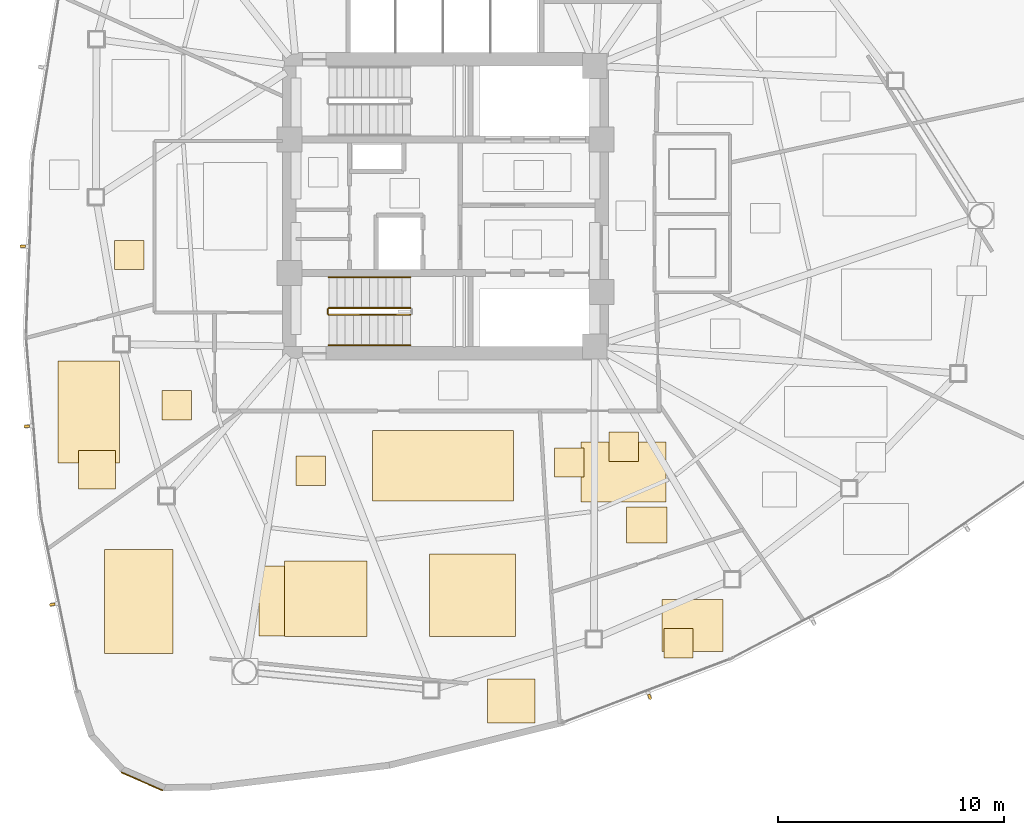
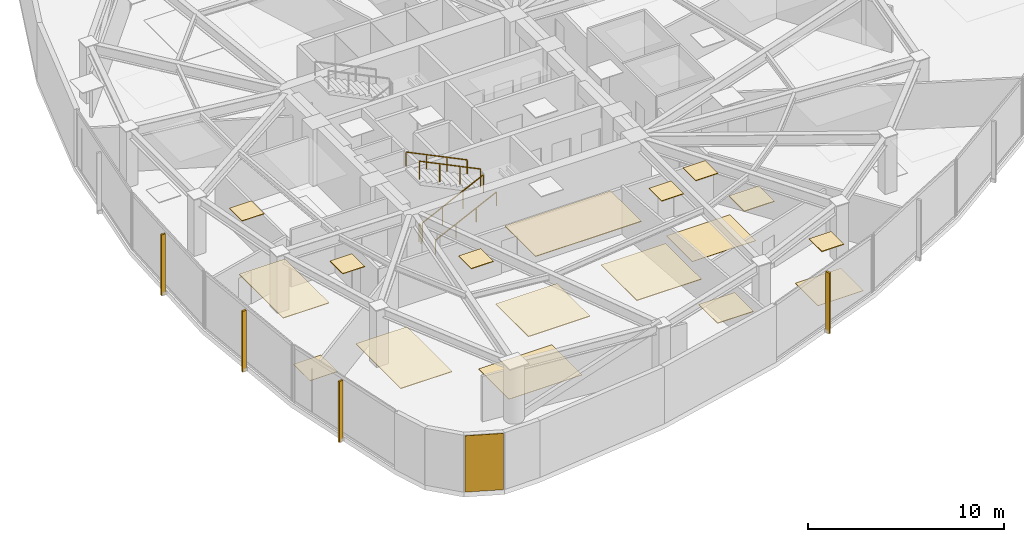
# One storey, part 14 of 17: 18 coverings, 5 railings, 4 shading devices.
"""IFC4 building model written with IfcOpenShell, lengths in metres."""

from ifc_helpers import new_model, si_unit, direction, frame, origin, origin_2d, place, context, subcontext, project, spatial, polyline, rectangle, outline, extrude, source, transform, mapped, material, layer, layer_set, type_object, type_shapes, element, save


model = new_model("IFC4")

# Units and contexts
model_context = context("Model", 3, precision=1e-05, world=origin(), true_north=direction((0.0, 1.0)))
body_context = subcontext(model_context, "Body", "Model", "MODEL_VIEW")
ifc_project = project(units=[si_unit("LENGTHUNIT", "METRE"), si_unit("AREAUNIT", "SQUARE_METRE"), si_unit("VOLUMEUNIT", "CUBIC_METRE"), si_unit("PLANEANGLEUNIT", "RADIAN"), si_unit("MASSUNIT", "GRAM", prefix="KILO")], contexts=[model_context])

# Site, building, storey
site_placement = place(None, origin())
site = spatial("IfcSite", under=ifc_project, at=site_placement, CompositionType="ELEMENT")
building_placement = place(site_placement, origin())
building = spatial("IfcBuilding", under=site, at=building_placement, Name="Tavelor Broadcast Tower", CompositionType="ELEMENT")
storey_placement = place(building_placement, frame((0.0, 0.0, 134.85009765625)))
storey = spatial("IfcBuildingStorey", under=building, at=storey_placement, Name="L31", CompositionType="ELEMENT", Elevation=134.85009765625)

# Covering
ifc_material_1 = material(Name="Copper-Bronze Anodized Aluminium", Category="aluminium")
ifc_layer_1 = layer(ifc_material_1, 0.050048828125)
ifc_layer_set_1 = layer_set([ifc_layer_1], Name="Copper-Bronze Anodized Aluminium")
covering_type_1 = type_object("IfcCoveringType", Name="Champagne-Bronze Corner Pier Metal Cladding 50 mm", PredefinedType="CLADDING", material=ifc_layer_set_1)
covering_1_placement = place(storey_placement, frame((36.588134765625, 19.575439453125, 0.02001953125), z_axis=(0.0, 0.0, 1.0), x_axis=(0.916711751032, -0.399549202878, 0.0)))
element("IfcCovering", 1, at=covering_1_placement, inside=storey, type_object=covering_type_1, Name="L31 Champagne-Bronze Corner Cladding 13", PredefinedType="CLADDING", context=body_context, shape_type="SweptSolid", body=[
    extrude(rectangle(XDim=1.989501953125, YDim=0.050048828125, at=origin_2d()), origin(), (0.0, 0.0, 1.0), 3.510009765625),
])

# Railings
ifc_material_2 = material(Name="Steel S355", Category="steel")
railing_type_1 = type_object("IfcRailingType", Name="Continuous Brushed Stainless Handrail 900 mm", PredefinedType="HANDRAIL", material=ifc_material_2)
railing_1_placement = place(storey_placement, frame((44.85009765625, 38.85009765625, 0.1748046875)))
element("IfcRailing", 2, at=railing_1_placement, inside=storey, type_object=railing_type_1, Name="L31 ST2 stair handrail 1", PredefinedType="HANDRAIL", context=body_context, shape_type="SweptSolid", body=[
    extrude(rectangle(XDim=0.048095703125, YDim=0.048095703125, at=origin_2d()), frame((0.0, 0.0, 0.8759765625), z_axis=(0.899360859046, 0.0, 0.437207096483), x_axis=(0.0, 1.0, 0.0)), (0.0, 0.0, 1.0), 4.002685546875),
    extrude(rectangle(XDim=0.0419921875, YDim=0.0419921875, at=origin_2d()), origin(), (0.0, 0.0, 1.0), 0.851806640625),
    extrude(rectangle(XDim=0.0419921875, YDim=0.0419921875, at=origin_2d()), frame((1.199951171875, 0.0, 0.583251953125)), (0.0, 0.0, 1.0), 0.851806640625),
    extrude(rectangle(XDim=0.0419921875, YDim=0.0419921875, at=origin_2d()), frame((2.39990234375, 0.0, 1.166748046875)), (0.0, 0.0, 1.0), 0.851806640625),
    extrude(rectangle(XDim=0.0419921875, YDim=0.0419921875, at=origin_2d()), frame((3.599853515625, 0.0, 1.75)), (0.0, 0.0, 1.0), 0.851806640625),
])
railing_2_placement = place(storey_placement, frame((48.449951171875, 41.85009765625, 2.099853515625)))
element("IfcRailing", 3, at=railing_2_placement, inside=storey, type_object=railing_type_1, Name="L31 ST2 stair handrail 2", PredefinedType="HANDRAIL", context=body_context, shape_type="SweptSolid", body=[
    extrude(rectangle(XDim=0.048095703125, YDim=0.048095703125, at=origin_2d()), frame((0.0, 0.0, 0.8759765625), z_axis=(-0.899360859046, 0.0, 0.437207096483), x_axis=(0.0, -1.0, 0.0)), (0.0, 0.0, 1.0), 4.002685546875),
    extrude(rectangle(XDim=0.0419921875, YDim=0.0419921875, at=origin_2d()), origin(), (0.0, 0.0, 1.0), 0.851806640625),
    extrude(rectangle(XDim=0.0419921875, YDim=0.0419921875, at=origin_2d()), frame((-1.199951171875, 0.0, 0.583251953125)), (0.0, 0.0, 1.0), 0.851806640625),
    extrude(rectangle(XDim=0.0419921875, YDim=0.0419921875, at=origin_2d()), frame((-2.39990234375, 0.0, 1.166748046875)), (0.0, 0.0, 1.0), 0.851806640625),
    extrude(rectangle(XDim=0.0419921875, YDim=0.0419921875, at=origin_2d()), frame((-3.599853515625, 0.0, 1.75)), (0.0, 0.0, 1.0), 0.851806640625),
])

# Coverings
ifc_material_3 = material(Name="Acoustic Nylon Carpet Tile")
ifc_layer_2 = layer(ifc_material_3, 0.02001953125)
ifc_layer_set_2 = layer_set([ifc_layer_2], Name="Acoustic Nylon Carpet Tile")
covering_type_2 = type_object("IfcCoveringType", Name="Heavy-Duty Acoustic Broadcast Carpet Tile 20 mm", PredefinedType="FLOORING", material=ifc_layer_set_2)
covering_2_placement = place(storey_placement, origin())
element("IfcCovering", 4, at=covering_2_placement, inside=storey, type_object=covering_type_2, Name="L31 Broadcast Floor Finish 0440", PredefinedType="FLOORING", context=body_context, shape_type="SweptSolid", body=[
    extrude(outline(polyline([(59.580078125, 25.313232421875), (62.260009765625, 25.313232421875), (62.260009765625, 27.62646484375), (59.580078125, 27.62646484375), (59.580078125, 25.313232421875)])), origin(), (0.0, 0.0, 1.0), 0.02001953125),
])
covering_3_placement = place(storey_placement, origin())
element("IfcCovering", 5, at=covering_3_placement, inside=storey, type_object=covering_type_2, Name="L31 Broadcast Floor Finish 0441", PredefinedType="FLOORING", context=body_context, shape_type="SweptSolid", body=[
    extrude(outline(polyline([(41.755859375, 25.99462890625), (46.07421875, 25.99462890625), (46.07421875, 29.103759765625), (41.755859375, 29.103759765625), (41.755859375, 25.99462890625)])), origin(), (0.0, 0.0, 1.0), 0.02001953125),
])
covering_4_placement = place(storey_placement, origin())
element("IfcCovering", 6, at=covering_4_placement, inside=storey, type_object=covering_type_2, Name="L31 Broadcast Floor Finish 0442", PredefinedType="FLOORING", context=body_context, shape_type="SweptSolid", body=[
    extrude(outline(polyline([(33.7841796875, 32.49853515625), (35.410400390625, 32.49853515625), (35.410400390625, 34.20263671875), (33.7841796875, 34.20263671875), (33.7841796875, 32.49853515625)])), origin(), (0.0, 0.0, 1.0), 0.02001953125),
])
covering_5_placement = place(storey_placement, origin())
element("IfcCovering", 7, at=covering_5_placement, inside=storey, type_object=covering_type_2, Name="L31 Broadcast Floor Finish 0447", PredefinedType="FLOORING", context=body_context, shape_type="SweptSolid", body=[
    extrude(outline(polyline([(55.985107421875, 31.91796875), (59.740478515625, 31.91796875), (59.740478515625, 34.577880859375), (55.985107421875, 34.577880859375), (55.985107421875, 31.91796875)])), origin(), (0.0, 0.0, 1.0), 0.02001953125),
])

# Railings
railing_type_2 = type_object("IfcRailingType", Name="Stairwell Steel Safety Guardrail 1150 mm", PredefinedType="GUARDRAIL", material=ifc_material_2)
railing_3_placement = place(storey_placement, frame((44.85009765625, 40.199951171875, 0.1748046875)))
element("IfcRailing", 8, at=railing_3_placement, inside=storey, type_object=railing_type_2, Name="L31 ST2 stair guard 1", PredefinedType="GUARDRAIL", context=body_context, shape_type="SweptSolid", body=[
    extrude(rectangle(XDim=0.048095703125, YDim=0.048095703125, at=origin_2d()), frame((0.0, 0.0, 1.1259765625), z_axis=(0.899360859046, 0.0, 0.437207096483), x_axis=(0.0, 1.0, 0.0)), (0.0, 0.0, 1.0), 4.002685546875),
    extrude(rectangle(XDim=0.0419921875, YDim=0.0419921875, at=origin_2d()), origin(), (0.0, 0.0, 1.0), 1.101806640625),
    extrude(rectangle(XDim=0.0419921875, YDim=0.0419921875, at=origin_2d()), frame((1.199951171875, 0.0, 0.583251953125)), (0.0, 0.0, 1.0), 1.101806640625),
    extrude(rectangle(XDim=0.0419921875, YDim=0.0419921875, at=origin_2d()), frame((2.39990234375, 0.0, 1.166748046875)), (0.0, 0.0, 1.0), 1.101806640625),
    extrude(rectangle(XDim=0.0419921875, YDim=0.0419921875, at=origin_2d()), frame((3.599853515625, 0.0, 1.75)), (0.0, 0.0, 1.0), 1.101806640625),
])
railing_4_placement = place(storey_placement, frame((48.449951171875, 40.5, 2.099853515625)))
element("IfcRailing", 9, at=railing_4_placement, inside=storey, type_object=railing_type_2, Name="L31 ST2 stair guard 3", PredefinedType="GUARDRAIL", context=body_context, shape_type="SweptSolid", body=[
    extrude(rectangle(XDim=0.048095703125, YDim=0.048095703125, at=origin_2d()), frame((0.0, 0.0, 1.1259765625), z_axis=(-0.899360859046, 0.0, 0.437207096483), x_axis=(0.0, -1.0, 0.0)), (0.0, 0.0, 1.0), 4.002685546875),
    extrude(rectangle(XDim=0.0419921875, YDim=0.0419921875, at=origin_2d()), origin(), (0.0, 0.0, 1.0), 1.101806640625),
    extrude(rectangle(XDim=0.0419921875, YDim=0.0419921875, at=origin_2d()), frame((-1.199951171875, 0.0, 0.583251953125)), (0.0, 0.0, 1.0), 1.101806640625),
    extrude(rectangle(XDim=0.0419921875, YDim=0.0419921875, at=origin_2d()), frame((-2.39990234375, 0.0, 1.166748046875)), (0.0, 0.0, 1.0), 1.101806640625),
    extrude(rectangle(XDim=0.0419921875, YDim=0.0419921875, at=origin_2d()), frame((-3.599853515625, 0.0, 1.75)), (0.0, 0.0, 1.0), 1.101806640625),
])
railing_5_placement = place(storey_placement, frame((44.800048828125, 40.25, 0.0)))
element("IfcRailing", 10, at=railing_5_placement, inside=storey, type_object=railing_type_2, Name="L31 ST2 stair guard 4", PredefinedType="GUARDRAIL", context=body_context, shape_type="SweptSolid", body=[
    extrude(rectangle(XDim=0.048095703125, YDim=0.048095703125, at=origin_2d()), frame((0.0, 0.0, 1.1259765625), z_axis=(0.0, 1.0, 0.0), x_axis=(-1.0, 0.0, 0.0)), (0.0, 0.0, 1.0), 0.199951171875),
    extrude(rectangle(XDim=0.0419921875, YDim=0.0419921875, at=origin_2d()), origin(), (0.0, 0.0, 1.0), 1.101806640625),
    extrude(rectangle(XDim=0.0419921875, YDim=0.0419921875, at=origin_2d()), frame((0.0, 0.199951171875, 0.0)), (0.0, 0.0, 1.0), 1.101806640625),
])

# Coverings
ifc_material_4 = material(Name="Acoustic Mineral Fibre Tile")
ifc_layer_3 = layer(ifc_material_4, 0.0400390625)
ifc_layer_set_3 = layer_set([ifc_layer_3], Name="Acoustic Mineral Fibre Tile")
covering_type_3 = type_object("IfcCoveringType", Name="Suspended Acoustic Mineral-Fibre Office Ceiling 40 mm", PredefinedType="CEILING", material=ifc_layer_set_3)
covering_6_placement = place(storey_placement, frame((0.0, 0.0, 3.510009765625)))
element("IfcCovering", 11, at=covering_6_placement, inside=storey, type_object=covering_type_3, Name="L31 Suspended Acoustic Ceiling 1249", PredefinedType="CEILING", context=body_context, shape_type="SweptSolid", body=[
    extrude(outline(polyline([(59.65087890625, 25.038330078125), (60.950927734375, 25.038330078125), (60.950927734375, 26.33837890625), (59.65087890625, 26.33837890625), (59.65087890625, 25.038330078125)])), origin(), (0.0, 0.0, 1.0), 0.039794921875),
])
covering_7_placement = place(storey_placement, frame((0.0, 0.0, 3.510009765625)))
element("IfcCovering", 12, at=covering_7_placement, inside=storey, type_object=covering_type_3, Name="L31 Suspended Acoustic Ceiling 1250", PredefinedType="CEILING", context=body_context, shape_type="SweptSolid", body=[
    extrude(outline(polyline([(34.9345703125, 25.22509765625), (37.95947265625, 25.22509765625), (37.95947265625, 29.8203125), (34.9345703125, 29.8203125), (34.9345703125, 25.22509765625)])), origin(), (0.0, 0.0, 1.0), 0.039794921875),
])
covering_8_placement = place(storey_placement, frame((0.0, 0.0, 3.510009765625)))
element("IfcCovering", 13, at=covering_8_placement, inside=storey, type_object=covering_type_3, Name="L31 Suspended Acoustic Ceiling 1251", PredefinedType="CEILING", context=body_context, shape_type="SweptSolid", body=[
    extrude(outline(polyline([(43.39013671875, 32.662353515625), (44.690185546875, 32.662353515625), (44.690185546875, 33.96240234375), (43.39013671875, 33.96240234375), (43.39013671875, 32.662353515625)])), origin(), (0.0, 0.0, 1.0), 0.039794921875),
])
covering_9_placement = place(storey_placement, frame((0.0, 0.0, 3.510009765625)))
element("IfcCovering", 14, at=covering_9_placement, inside=storey, type_object=covering_type_3, Name="L31 Suspended Acoustic Ceiling 1252", PredefinedType="CEILING", context=body_context, shape_type="SweptSolid", body=[
    extrude(outline(polyline([(46.772216796875, 31.96875), (53.010498046875, 31.96875), (53.010498046875, 35.09521484375), (46.772216796875, 35.09521484375), (46.772216796875, 31.96875)])), origin(), (0.0, 0.0, 1.0), 0.039794921875),
])
covering_10_placement = place(storey_placement, frame((0.0, 0.0, 3.510009765625)))
element("IfcCovering", 15, at=covering_10_placement, inside=storey, type_object=covering_type_3, Name="L31 Suspended Acoustic Ceiling 1253", PredefinedType="CEILING", context=body_context, shape_type="SweptSolid", body=[
    extrude(outline(polyline([(49.29248046875, 25.986083984375), (53.099365234375, 25.986083984375), (53.099365234375, 29.63671875), (49.29248046875, 29.63671875), (49.29248046875, 25.986083984375)])), origin(), (0.0, 0.0, 1.0), 0.039794921875),
])
covering_11_placement = place(storey_placement, frame((0.0, 0.0, 3.510009765625)))
element("IfcCovering", 16, at=covering_11_placement, inside=storey, type_object=covering_type_3, Name="L31 Suspended Acoustic Ceiling 1254", PredefinedType="CEILING", context=body_context, shape_type="SweptSolid", body=[
    extrude(outline(polyline([(51.84814453125, 22.16796875), (53.9638671875, 22.16796875), (53.9638671875, 24.096923828125), (51.84814453125, 24.096923828125), (51.84814453125, 22.16796875)])), origin(), (0.0, 0.0, 1.0), 0.039794921875),
])
covering_12_placement = place(storey_placement, frame((0.0, 0.0, 3.510009765625)))
element("IfcCovering", 17, at=covering_12_placement, inside=storey, type_object=covering_type_3, Name="L31 Suspended Acoustic Ceiling 1255", PredefinedType="CEILING", context=body_context, shape_type="SweptSolid", body=[
    extrude(outline(polyline([(42.89306640625, 25.97314453125), (46.523193359375, 25.97314453125), (46.523193359375, 29.3203125), (42.89306640625, 29.3203125), (42.89306640625, 25.97314453125)])), origin(), (0.0, 0.0, 1.0), 0.039794921875),
])
covering_13_placement = place(storey_placement, frame((0.0, 0.0, 3.510009765625)))
element("IfcCovering", 18, at=covering_13_placement, inside=storey, type_object=covering_type_3, Name="L31 Suspended Acoustic Ceiling 1256", PredefinedType="CEILING", context=body_context, shape_type="SweptSolid", body=[
    extrude(outline(polyline([(32.873046875, 33.65771484375), (35.583740234375, 33.65771484375), (35.583740234375, 38.164794921875), (32.873046875, 38.164794921875), (32.873046875, 33.65771484375)])), origin(), (0.0, 0.0, 1.0), 0.039794921875),
])
covering_14_placement = place(storey_placement, frame((0.0, 0.0, 3.510009765625)))
element("IfcCovering", 19, at=covering_14_placement, inside=storey, type_object=covering_type_3, Name="L31 Suspended Acoustic Ceiling 1257", PredefinedType="CEILING", context=body_context, shape_type="SweptSolid", body=[
    extrude(outline(polyline([(37.4755859375, 35.554443359375), (38.775634765625, 35.554443359375), (38.775634765625, 36.8544921875), (37.4755859375, 36.8544921875), (37.4755859375, 35.554443359375)])), origin(), (0.0, 0.0, 1.0), 0.039794921875),
])
covering_15_placement = place(storey_placement, frame((0.0, 0.0, 3.510009765625)))
element("IfcCovering", 20, at=covering_15_placement, inside=storey, type_object=covering_type_3, Name="L31 Suspended Acoustic Ceiling 1260", PredefinedType="CEILING", context=body_context, shape_type="SweptSolid", body=[
    extrude(outline(polyline([(35.3818359375, 42.193115234375), (36.681884765625, 42.193115234375), (36.681884765625, 43.4931640625), (35.3818359375, 43.4931640625), (35.3818359375, 42.193115234375)])), origin(), (0.0, 0.0, 1.0), 0.039794921875),
])
covering_16_placement = place(storey_placement, frame((0.0, 0.0, 3.510009765625)))
element("IfcCovering", 21, at=covering_16_placement, inside=storey, type_object=covering_type_3, Name="L31 Suspended Acoustic Ceiling 1282", PredefinedType="CEILING", context=body_context, shape_type="SweptSolid", body=[
    extrude(outline(polyline([(58.008544921875, 30.114013671875), (59.787841796875, 30.114013671875), (59.787841796875, 31.69482421875), (58.008544921875, 31.69482421875), (58.008544921875, 30.114013671875)])), origin(), (0.0, 0.0, 1.0), 0.039794921875),
])
covering_17_placement = place(storey_placement, frame((0.0, 0.0, 3.510009765625)))
element("IfcCovering", 22, at=covering_17_placement, inside=storey, type_object=covering_type_3, Name="L31 Suspended Acoustic Ceiling 1283", PredefinedType="CEILING", context=body_context, shape_type="SweptSolid", body=[
    extrude(outline(polyline([(54.813720703125, 33.01953125), (56.113525390625, 33.01953125), (56.113525390625, 34.319580078125), (54.813720703125, 34.319580078125), (54.813720703125, 33.01953125)])), origin(), (0.0, 0.0, 1.0), 0.039794921875),
])
covering_18_placement = place(storey_placement, frame((0.0, 0.0, 3.510009765625)))
element("IfcCovering", 23, at=covering_18_placement, inside=storey, type_object=covering_type_3, Name="L31 Suspended Acoustic Ceiling 1284", PredefinedType="CEILING", context=body_context, shape_type="SweptSolid", body=[
    extrude(outline(polyline([(57.23193359375, 33.720703125), (58.531982421875, 33.720703125), (58.531982421875, 35.0205078125), (57.23193359375, 35.0205078125), (57.23193359375, 33.720703125)])), origin(), (0.0, 0.0, 1.0), 0.039794921875),
])

# Shading devices
ifc_material_5 = material(Name="Kiln-Fired Glazed Terracotta", Category="masonry")
shading_device_type = type_object("IfcShadingDeviceType", Name="Extruded Terracotta Baguette Sun-Screen 110x240", PredefinedType="JALOUSIE", material=ifc_material_5)
shared_shape = source(origin(), body_context, "Body", "SweptSolid", [
    extrude(rectangle(XDim=0.110107421875, YDim=0.239990234375, at=origin_2d()), origin(), (0.0, 0.0, 1.0), 3.7900390625),
])
type_shapes(shading_device_type, [shared_shape])
for number, where, z_axis, x_axis, name in (
    (24, (31.3173828125, 43.225341796875, -0.260009765625), (0.0, 0.0, 1.0), (-0.038736615301, -0.999249455659, 0.0), "L31 Terracotta Baguette Fin 302"),
    (25, (31.4912109375, 35.269287109375, -0.260009765625), (0.0, 0.0, 1.0), (0.08246033549, -0.9965943473, 0.0), "L31 Terracotta Baguette Fin 303"),
    (26, (32.626220703125, 27.392578125, -0.260009765625), (0.0, 0.0, 1.0), (0.202445469766, -0.979293537082, 0.0), "L31 Terracotta Baguette Fin 304"),
    (27, (59.025390625, 23.315185546875, -0.260009765625), (0.0, 0.0, 1.0), (0.934701663732, 0.355433256487, 0.0), "L31 Terracotta Baguette Fin 305"),
):
    element("IfcShadingDevice", number, at=place(storey_placement, frame(where, z_axis=z_axis, x_axis=x_axis)), inside=storey, type_object=shading_device_type, Name=name, PredefinedType="JALOUSIE", context=body_context, shape_type="MappedRepresentation", body=[
        mapped(shared_shape, transform((0.0, 0.0, 0.0), scale=1.0)),
    ])

save(model, "model.ifc")
